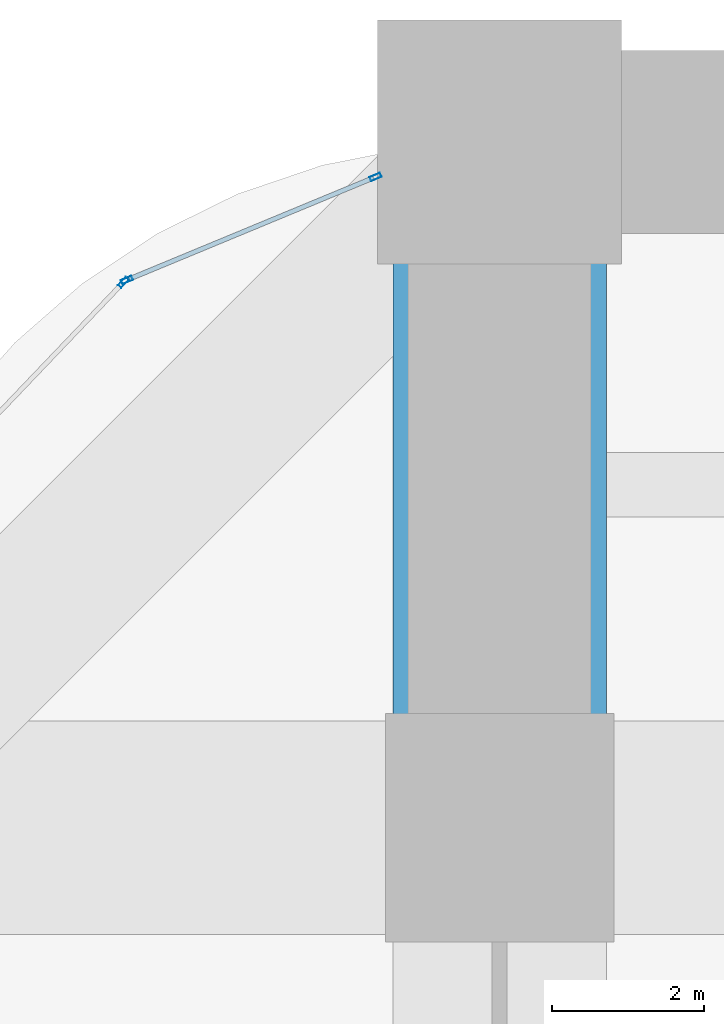
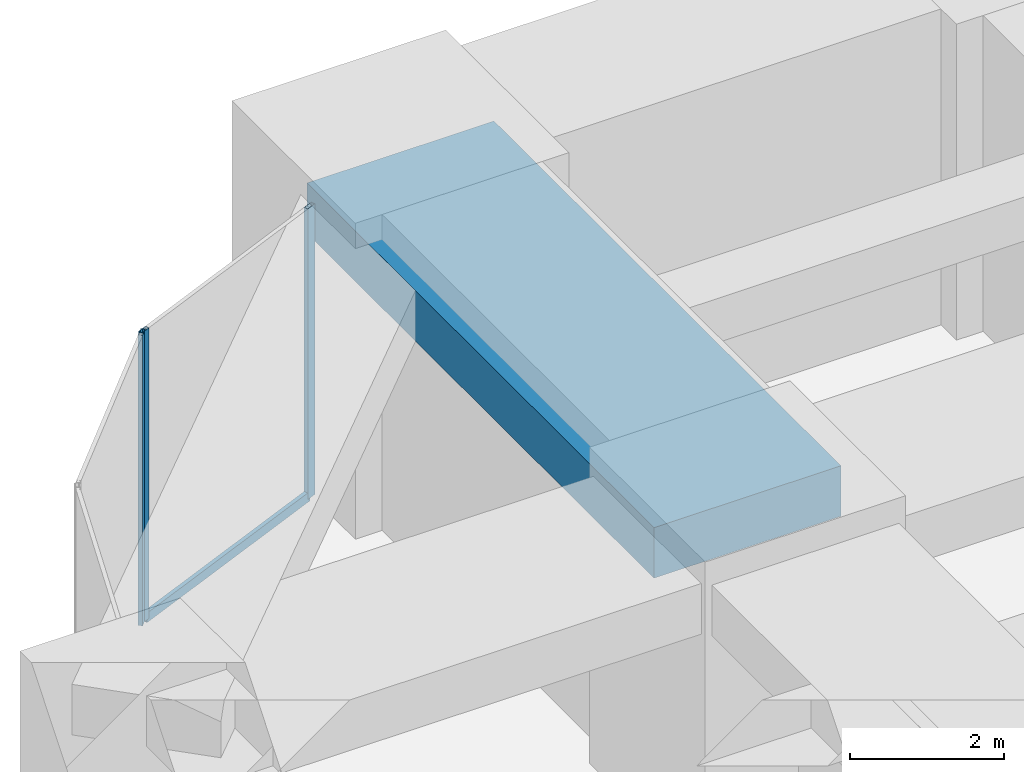
# One storey, part 25 of 35: 4 members, 1 beam, 2 elements without a shape of their own.
"""IFC4 building model written with IfcOpenShell, lengths in metres."""

import ifcopenshell
import ifcopenshell.guid

model = None  # the IFC model being written
_history = None  # IfcOwnerHistory: only IFC2X3 demands one
_inside = {}  # id of a spatial element -> (the spatial element, [elements in it])
_under = {}  # id of a project, library or spatial element -> (it, [spatial elements below it])
_declared = {}  # id of a project -> (the project, [libraries it declares])
_typed = {}  # id of a type object -> (the type object, [elements of that type])
_made_of = {}  # id of a material, layer set ... -> (it, [elements and type objects made of it])


def new_model(schema):
    """Start an empty IFC model of exactly this schema.

    Asked for "IFC4X3", IfcOpenShell would pick the latest addendum, in which some entities
    have other attributes; the version numbers below select the first issue.
    IFC2X3 requires an IfcOwnerHistory on every rooted entity: one is made here for all.
    """
    global model, _history
    if schema == "IFC4X3":
        model = ifcopenshell.file(schema_version=(4, 3, 0, 0))
    else:
        model = ifcopenshell.file(schema=schema)
    _inside.clear()
    _under.clear()
    _declared.clear()
    _typed.clear()
    _made_of.clear()
    _history = None
    if model.schema == "IFC2X3":
        org = make("IfcOrganization", Name="unknown")
        user = make(
            "IfcPersonAndOrganization",
            ThePerson=make("IfcPerson", FamilyName="unknown"),
            TheOrganization=org,
        )
        app = make(
            "IfcApplication",
            ApplicationDeveloper=org,
            Version="unknown",
            ApplicationFullName="unknown",
            ApplicationIdentifier="unknown",
        )
        _history = make(
            "IfcOwnerHistory",
            OwningUser=user,
            OwningApplication=app,
            ChangeAction="ADDED",
            CreationDate=0,
        )
    return model


def make(cls, **values):
    """One entity of the class cls with the attributes given. An attribute that is None is left unset."""
    return model.create_entity(
        cls, **{name: value for name, value in values.items() if value is not None}
    )


def rooted(cls, **values):
    """An entity with a GlobalId (a new one), such as an element, a storey or a relation."""
    return make(cls, GlobalId=ifcopenshell.guid.new(), OwnerHistory=_history, **values)


def si_unit(unit_type, name, prefix=None):
    """IfcSIUnit, for example si_unit("LENGTHUNIT", "METRE", prefix="MILLI")."""
    return make("IfcSIUnit", UnitType=unit_type, Prefix=prefix, Name=name)


def assignment(units):
    """IfcUnitAssignment: the units of a project."""
    return None if units is None else make("IfcUnitAssignment", Units=units)


def point(xyz):
    """IfcCartesianPoint."""
    return None if xyz is None else make("IfcCartesianPoint", Coordinates=xyz)


def direction(xyz):
    """IfcDirection."""
    return None if xyz is None else make("IfcDirection", DirectionRatios=xyz)


def frame(location, z_axis=None, x_axis=None):
    """IfcAxis2Placement3D, a coordinate frame: its origin and axes. An axis left out is left unset."""
    return make(
        "IfcAxis2Placement3D",
        Location=point(location),
        Axis=direction(z_axis),
        RefDirection=direction(x_axis),
    )


def frame_2d(location, x_axis=None):
    """IfcAxis2Placement2D, a coordinate frame in the plane: its origin and x axis."""
    return make(
        "IfcAxis2Placement2D", Location=point(location), RefDirection=direction(x_axis)
    )


def origin():
    """The frame at (0, 0, 0) with its axes left unset."""
    return frame((0.0, 0.0, 0.0))


def origin_2d():
    """The frame at (0, 0) in the plane with its x axis left unset."""
    return frame_2d((0.0, 0.0))


def place(relative_to, where):
    """IfcLocalPlacement: puts the frame where relative to a parent placement (None: the world)."""
    return make(
        "IfcLocalPlacement", PlacementRelTo=relative_to, RelativePlacement=where
    )


def context(
    kind, dimensions, precision=None, world=None, true_north=None, identifier=None
):
    """IfcGeometricRepresentationContext, for example the 3D "Model" context."""
    return make(
        "IfcGeometricRepresentationContext",
        ContextIdentifier=identifier,
        ContextType=kind,
        CoordinateSpaceDimension=dimensions,
        Precision=precision,
        WorldCoordinateSystem=world,
        TrueNorth=true_north,
    )


def subcontext(parent, identifier, kind, view, scale=None):
    """IfcGeometricRepresentationSubContext, for example "Body" below "Model"."""
    return make(
        "IfcGeometricRepresentationSubContext",
        ContextIdentifier=identifier,
        ContextType=kind,
        ParentContext=parent,
        TargetScale=scale,
        TargetView=view,
    )


def project(units=None, contexts=None):
    """IfcProject with its units and contexts."""
    return rooted(
        "IfcProject",
        Name="project",
        RepresentationContexts=contexts,
        UnitsInContext=assignment(units),
    )


def spatial(cls, under=None, at=None, **own):
    """A site, building, storey or space (cls), placed at a placement, below another one or the project."""
    s = rooted(cls, ObjectPlacement=at, **own)
    if under is not None:
        _under.setdefault(under.id(), (under, []))[1].append(s)
    return s


def profile(cls, at=None, kind="AREA", **sizes):
    """A parametric profile (cls). Its sizes go by their IFC names, for example OverallWidth=200.0."""
    return make(cls, ProfileType=kind, Position=at, **sizes)


def rectangle(**sizes):
    """IfcRectangleProfileDef."""
    return profile("IfcRectangleProfileDef", **sizes)


def hollow_rectangle(**sizes):
    """IfcRectangleHollowProfileDef."""
    return profile("IfcRectangleHollowProfileDef", **sizes)


def extrude(swept, where, along, depth):
    """IfcExtrudedAreaSolid: the profile swept, set in the frame where, extruded along a direction by depth."""
    return make(
        "IfcExtrudedAreaSolid",
        SweptArea=swept,
        Position=where,
        ExtrudedDirection=direction(along),
        Depth=depth,
    )


def shape(context_of_items, identifier, shape_type, items):
    """IfcShapeRepresentation: the items that make up one representation, for example the "Body"."""
    return make(
        "IfcShapeRepresentation",
        ContextOfItems=context_of_items,
        RepresentationIdentifier=identifier,
        RepresentationType=shape_type,
        Items=items,
    )


def material(Name=None, Category=None):
    """IfcMaterial."""
    return make("IfcMaterial", Name=Name, Category=Category)


def material_profile(
    of_material, cross_section, Name=None, Category=None, Priority=None
):
    """IfcMaterialProfile: a cross section and its material."""
    return make(
        "IfcMaterialProfile",
        Name=Name,
        Material=of_material,
        Profile=cross_section,
        Priority=Priority,
        Category=Category,
    )


def profile_set(profiles, Name=None, composite=None):
    """IfcMaterialProfileSet."""
    return make(
        "IfcMaterialProfileSet",
        Name=Name,
        MaterialProfiles=profiles,
        CompositeProfile=composite,
    )


def made_of(thing, what):
    """Note that an element or type object is made of a material, layer set ...; save() writes the relation."""
    if what is not None:
        _made_of.setdefault(what.id(), (what, []))[1].append(thing)
    return thing


def type_object(cls, material=None, **own):
    """A type object (cls), such as IfcWallType, which elements share."""
    return made_of(rooted(cls, **own), material)


def element(
    cls,
    number,
    at=None,
    inside=None,
    cuts=None,
    type_object=None,
    material=None,
    context=None,
    identifier="Body",
    shape_type=None,
    held_by="IfcProductDefinitionShape",
    body=None,
    shapes=None,
    **own,
):
    """One element of the class cls, such as IfcWall. Its Tag is "e" and its number.

    at: its placement. inside: the storey or other place that contains it. cuts: it is an
    opening in that element (IfcRelVoidsElement). A single representation is given by context,
    identifier, shape_type and body (its items); several are given by shapes. held_by: the class
    of the entity that holds the representations. save() writes the other relations.
    """
    e = rooted(cls, Tag="e%d" % number, ObjectPlacement=at, **own)
    if body is not None:
        shapes = [shape(context, identifier, shape_type, body)]
    if shapes is not None:
        e.Representation = make(held_by, Representations=shapes)
    if inside is not None:
        _inside.setdefault(inside.id(), (inside, []))[1].append(e)
    if cuts is not None:
        rooted(
            "IfcRelVoidsElement", RelatingBuildingElement=cuts, RelatedOpeningElement=e
        )
    if type_object is not None:
        _typed.setdefault(type_object.id(), (type_object, []))[1].append(e)
    return made_of(e, material)


def aggregate(whole, parts):
    """IfcRelAggregates: a whole, such as a stair, and the parts it consists of."""
    return rooted("IfcRelAggregates", RelatingObject=whole, RelatedObjects=parts)


def save(model, path):
    """Write the relations noted so far, then the file.

    IfcRelAggregates (storeys below a building ...), IfcRelContainedInSpatialStructure (elements
    in a storey), IfcRelDefinesByType, IfcRelAssociatesMaterial and IfcRelDeclares: one each for
    every whole, place, type object, material and project.
    """
    for whole, parts in _under.values():
        aggregate(whole, parts)
    for where, things in _inside.values():
        rooted(
            "IfcRelContainedInSpatialStructure",
            RelatedElements=things,
            RelatingStructure=where,
        )
    for kind, things in _typed.values():
        rooted("IfcRelDefinesByType", RelatedObjects=things, RelatingType=kind)
    for what, things in _made_of.values():
        rooted("IfcRelAssociatesMaterial", RelatedObjects=things, RelatingMaterial=what)
    for by, libraries in _declared.values():
        rooted("IfcRelDeclares", RelatingContext=by, RelatedDefinitions=libraries)
    model.write(path)


model = new_model("IFC4")

# Units and contexts
model_context = context("Model", 3, precision=1e-05, world=origin(), true_north=direction((0.0, 1.0)))
body_context = subcontext(model_context, "Body", "Model", "MODEL_VIEW")
ifc_project = project(units=[si_unit("LENGTHUNIT", "METRE"), si_unit("AREAUNIT", "SQUARE_METRE"), si_unit("VOLUMEUNIT", "CUBIC_METRE"), si_unit("PLANEANGLEUNIT", "RADIAN"), si_unit("MASSUNIT", "GRAM", prefix="KILO")], contexts=[model_context])

# Site, building, storey
site_placement = place(None, origin())
site = spatial("IfcSite", under=ifc_project, at=site_placement, CompositionType="ELEMENT")
building_placement = place(site_placement, origin())
building = spatial("IfcBuilding", under=site, at=building_placement, Name="Zorevar Civic Tower", CompositionType="ELEMENT")
storey_placement = place(building_placement, frame((0.0, 0.0, 80.0)))
storey = spatial("IfcBuildingStorey", under=building, at=storey_placement, Name="L19", CompositionType="ELEMENT", Elevation=80.0)

# Beam
ifc_material_1 = material(Name="Concrete C50/60", Category="concrete")
ifc_material_profile_1 = material_profile(ifc_material_1, rectangle(XDim=2.800048828125, YDim=0.800048828125, at=origin_2d()), Name="RC 2800x800")
ifc_profile_set_1 = profile_set([ifc_material_profile_1], Name="Concrete C50/60")
beam_type = type_object("IfcBeamType", Name="Beam RC 2800x800", PredefinedType="BEAM", material=ifc_profile_set_1)
beam_placement = place(storey_placement, frame((9.0, 45.0, 4.199951171875), z_axis=(0.0, 1.0, 0.0), x_axis=(-1.0, 0.0, 0.0)))
element("IfcBeam", 1, at=beam_placement, inside=storey, type_object=beam_type, Name="Girder L20", PredefinedType="BEAM", context=body_context, shape_type="SweptSolid", body=[
    extrude(rectangle(XDim=2.800048828125, YDim=0.800048828125, at=origin_2d()), origin(), (0.0, 0.0, 1.0), 9.0),
])

# Curtain wall, members
ifc_material_2 = material(Name="Black aluminium louvres", Category="aluminium")
curtain_wall_type = type_object("IfcCurtainWallType", Name="Louvred curtain wall CW6 refuge", PredefinedType="NOTDEFINED", material=ifc_material_2)
curtain_wall_1_placement = place(storey_placement, origin())
curtain_wall_1 = element("IfcCurtainWall", 2, at=curtain_wall_1_placement, inside=storey, type_object=curtain_wall_type, Name="CW6 L19", PredefinedType="NOTDEFINED")
ifc_material_3 = material(Name="Aluminium, black anodised", Category="aluminium")
ifc_material_profile_2 = material_profile(ifc_material_3, hollow_rectangle(XDim=0.06005859375, YDim=0.14990234375, WallThickness=0.00390625, at=origin_2d()), Name="AL 150x60x4")
ifc_profile_set_2 = profile_set([ifc_material_profile_2], Name="Aluminium, black anodised")
member_type_1 = type_object("IfcMemberType", Name="CW6 mullion AL 150x60x4", PredefinedType="MULLION", material=ifc_profile_set_2)
member_1_placement = place(storey_placement, frame((7.372314453125, 53.5400390625, 0.0), z_axis=(0.0, 0.0, 1.0), x_axis=(0.382841193399, -0.92381416997, 0.0)))
member_1 = element("IfcMember", 3, at=member_1_placement, type_object=member_type_1, Name="CW6 mullion 1", PredefinedType="MULLION", context=body_context, shape_type="SweptSolid", body=[
    extrude(hollow_rectangle(XDim=0.06005859375, YDim=0.14990234375, WallThickness=0.00390625, at=origin_2d()), origin(), (0.0, 0.0, 1.0), 4.60009765625),
])
member_2_placement = place(storey_placement, frame((4.109619140625, 52.18798828125, 0.0), z_axis=(0.0, 0.0, 1.0), x_axis=(0.382841193399, -0.92381416997, 0.0)))
member_2 = element("IfcMember", 4, at=member_2_placement, type_object=member_type_1, Name="CW6 mullion 2", PredefinedType="MULLION", context=body_context, shape_type="SweptSolid", body=[
    extrude(hollow_rectangle(XDim=0.06005859375, YDim=0.14990234375, WallThickness=0.00390625, at=origin_2d()), origin(), (0.0, 0.0, 1.0), 4.60009765625),
])

# Curtain wall, member
curtain_wall_2_placement = place(storey_placement, origin())
curtain_wall_2 = element("IfcCurtainWall", 5, at=curtain_wall_2_placement, inside=storey, type_object=curtain_wall_type, Name="CW6 L19", PredefinedType="NOTDEFINED")
member_3_placement = place(storey_placement, frame((4.061279296875, 52.15478515625, 0.0), z_axis=(0.0, 0.0, 1.0), x_axis=(0.723392628671, -0.690436894136, 0.0)))
member_3 = element("IfcMember", 6, at=member_3_placement, type_object=member_type_1, Name="CW6 mullion 1", PredefinedType="MULLION", context=body_context, shape_type="SweptSolid", body=[
    extrude(hollow_rectangle(XDim=0.06005859375, YDim=0.14990234375, WallThickness=0.00390625, at=origin_2d()), origin(), (0.0, 0.0, 1.0), 4.60009765625),
])
aggregate(curtain_wall_2, [member_3])

# Member
ifc_material_4 = material(Name="Aluminium, black anodised", Category="aluminium")
ifc_material_profile_3 = material_profile(ifc_material_4, hollow_rectangle(XDim=0.06005859375, YDim=0.14990234375, WallThickness=0.00390625, at=origin_2d()), Name="AL 150x60x4")
ifc_profile_set_3 = profile_set([ifc_material_profile_3], Name="Aluminium, black anodised")
member_type_2 = type_object("IfcMemberType", Name="CW6 transom AL 150x60x4", PredefinedType="USERDEFINED", material=ifc_profile_set_3)
member_4_placement = place(storey_placement, frame((7.344482421875, 53.528564453125, 0.030029296875), z_axis=(-0.923807642827, -0.382856943328, 0.0), x_axis=(0.382856943328, -0.923807642827, 0.0)))
member_4 = element("IfcMember", 7, at=member_4_placement, type_object=member_type_2, Name="CW6 sill transom", ObjectType="TRANSOM", PredefinedType="USERDEFINED", context=body_context, shape_type="SweptSolid", body=[
    extrude(hollow_rectangle(XDim=0.06005859375, YDim=0.14990234375, WallThickness=0.00390625, at=origin_2d()), origin(), (0.0, 0.0, 1.0), 3.471435546875),
])

aggregate(curtain_wall_1, [member_1, member_2, member_4])

save(model, "model.ifc")
